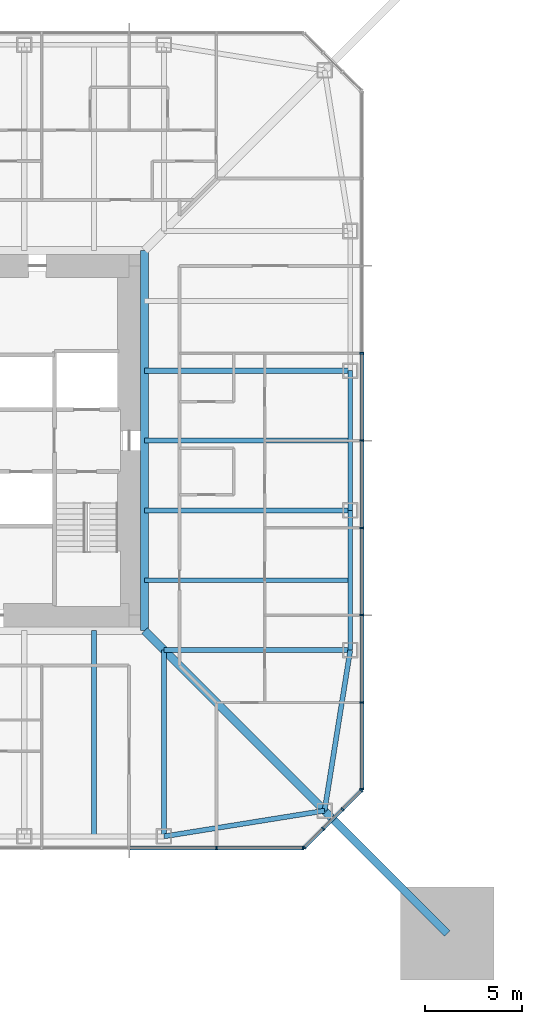
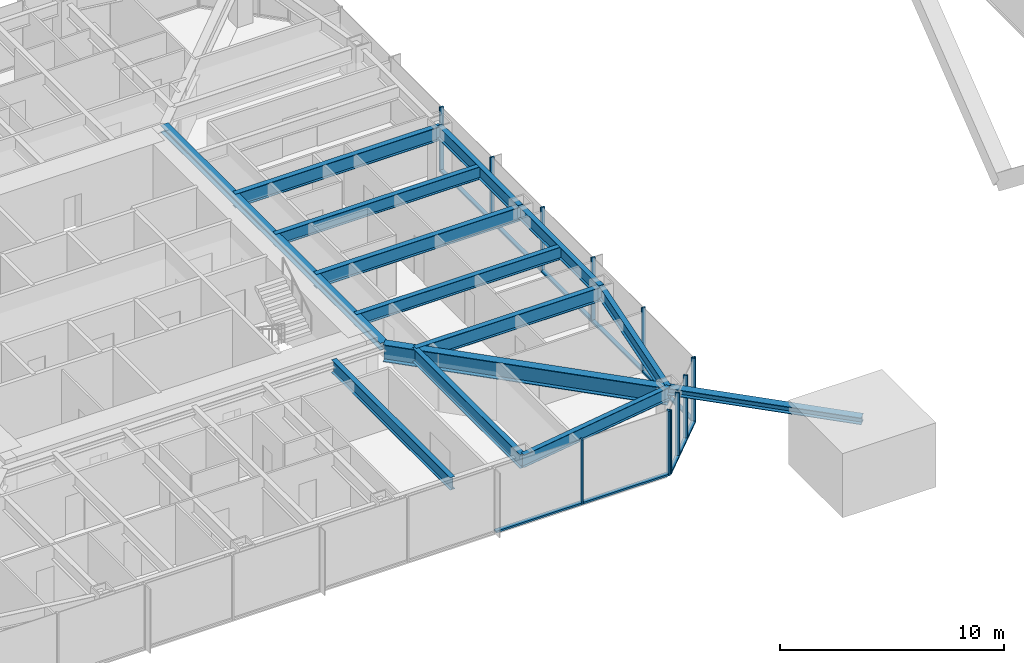
# One storey, part 3 of 23: 23 members, 13 beams, 3 elements without a shape of their own.
"""IFC4 building model written with IfcOpenShell, lengths in metres."""

from ifc_helpers import new_model, si_unit, direction, frame, origin, origin_2d, place, context, subcontext, project, spatial, rectangle, i_section, extrude, material, material_profile, profile_set, type_object, element, aggregate, save


model = new_model("IFC4")

# Units and contexts
model_context = context("Model", 3, precision=1e-05, world=origin(), true_north=direction((0.0, 1.0)))
body_context = subcontext(model_context, "Body", "Model", "MODEL_VIEW")
ifc_project = project(units=[si_unit("LENGTHUNIT", "METRE"), si_unit("AREAUNIT", "SQUARE_METRE"), si_unit("VOLUMEUNIT", "CUBIC_METRE"), si_unit("PLANEANGLEUNIT", "RADIAN"), si_unit("MASSUNIT", "GRAM", prefix="KILO")], contexts=[model_context])

# Site, building, storey
site_placement = place(None, origin())
site = spatial("IfcSite", under=ifc_project, at=site_placement, CompositionType="ELEMENT")
building_placement = place(site_placement, origin())
building = spatial("IfcBuilding", under=site, at=building_placement, Name="Iwan Alto Co-Living Towers", CompositionType="ELEMENT")
storey_placement = place(building_placement, frame((0.0, 0.0, 122.5)))
storey = spatial("IfcBuildingStorey", under=building, at=storey_placement, Name="L33", CompositionType="ELEMENT", Elevation=122.5)

# Curtain wall, members
ifc_material_1 = material(Name="Bronze aluminium unitised frame", Category="aluminium")
curtain_wall_type_1 = type_object("IfcCurtainWallType", Name="CURTAIN WALL CW-A", PredefinedType="NOTDEFINED", material=ifc_material_1)
curtain_wall_1_placement = place(storey_placement, origin())
curtain_wall_1 = element("IfcCurtainWall", 1, at=curtain_wall_1_placement, inside=storey, type_object=curtain_wall_type_1, Name="T1 curtain wall S L33", PredefinedType="NOTDEFINED")
ifc_material_2 = material(Name="Aluminium 6063-T6 bronze anodised", Category="aluminium")
ifc_material_profile_1 = material_profile(ifc_material_2, rectangle(XDim=0.199951171875, YDim=0.080078125, at=origin_2d()), Name="AL 80X200")
ifc_profile_set_1 = profile_set([ifc_material_profile_1], Name="Aluminium 6063-T6 bronze anodised")
member_type_1 = type_object("IfcMemberType", Name="CW-A MULLION 80X200", PredefinedType="MULLION", material=ifc_profile_set_1)
member_1_placement = place(storey_placement, frame((13.5, -21.0, 0.0), z_axis=(0.0, 0.0, 1.0), x_axis=(0.0, 1.0, 0.0)))
member_1 = element("IfcMember", 2, at=member_1_placement, type_object=member_type_1, Name="CW-A mullion 8", PredefinedType="MULLION", context=body_context, shape_type="SweptSolid", body=[
    extrude(rectangle(XDim=0.199951171875, YDim=0.080078125, at=origin_2d()), origin(), (0.0, 0.0, 1.0), 3.5),
])
member_2_placement = place(storey_placement, frame((17.9599609375, -21.0, 0.0), z_axis=(0.0, 0.0, 1.0), x_axis=(0.0, 1.0, 0.0)))
member_2 = element("IfcMember", 3, at=member_2_placement, type_object=member_type_1, Name="CW-A mullion 9", PredefinedType="MULLION", context=body_context, shape_type="SweptSolid", body=[
    extrude(rectangle(XDim=0.199951171875, YDim=0.080078125, at=origin_2d()), origin(), (0.0, 0.0, 1.0), 3.5),
])

curtain_wall_2_placement = place(storey_placement, origin())
curtain_wall_2 = element("IfcCurtainWall", 4, at=curtain_wall_2_placement, inside=storey, type_object=curtain_wall_type_1, Name="T1 curtain wall E L33", PredefinedType="NOTDEFINED")
member_3_placement = place(storey_placement, frame((21.0, -17.9599609375, 0.0), z_axis=(0.0, 0.0, 1.0), x_axis=(-1.0, 0.0, 0.0)))
member_3 = element("IfcMember", 5, at=member_3_placement, type_object=member_type_1, Name="CW-A mullion 1", PredefinedType="MULLION", context=body_context, shape_type="SweptSolid", body=[
    extrude(rectangle(XDim=0.199951171875, YDim=0.080078125, at=origin_2d()), origin(), (0.0, 0.0, 1.0), 3.5),
])
member_4_placement = place(storey_placement, frame((21.0, -13.5, 0.0), z_axis=(0.0, 0.0, 1.0), x_axis=(-1.0, 0.0, 0.0)))
member_4 = element("IfcMember", 6, at=member_4_placement, type_object=member_type_1, Name="CW-A mullion 2", PredefinedType="MULLION", context=body_context, shape_type="SweptSolid", body=[
    extrude(rectangle(XDim=0.199951171875, YDim=0.080078125, at=origin_2d()), origin(), (0.0, 0.0, 1.0), 3.5),
])
member_5_placement = place(storey_placement, frame((21.0, -9.0, 0.0), z_axis=(0.0, 0.0, 1.0), x_axis=(-1.0, 0.0, 0.0)))
member_5 = element("IfcMember", 7, at=member_5_placement, type_object=member_type_1, Name="CW-A mullion 3", PredefinedType="MULLION", context=body_context, shape_type="SweptSolid", body=[
    extrude(rectangle(XDim=0.199951171875, YDim=0.080078125, at=origin_2d()), origin(), (0.0, 0.0, 1.0), 3.5),
])
member_6_placement = place(storey_placement, frame((21.0, -4.5, 0.0), z_axis=(0.0, 0.0, 1.0), x_axis=(-1.0, 0.0, 0.0)))
member_6 = element("IfcMember", 8, at=member_6_placement, type_object=member_type_1, Name="CW-A mullion 4", PredefinedType="MULLION", context=body_context, shape_type="SweptSolid", body=[
    extrude(rectangle(XDim=0.199951171875, YDim=0.080078125, at=origin_2d()), origin(), (0.0, 0.0, 1.0), 3.5),
])
member_7_placement = place(storey_placement, frame((21.0, 0.0, 0.0), z_axis=(0.0, 0.0, 1.0), x_axis=(-1.0, 0.0, 0.0)))
member_7 = element("IfcMember", 9, at=member_7_placement, type_object=member_type_1, Name="CW-A mullion 5", PredefinedType="MULLION", context=body_context, shape_type="SweptSolid", body=[
    extrude(rectangle(XDim=0.199951171875, YDim=0.080078125, at=origin_2d()), origin(), (0.0, 0.0, 1.0), 3.5),
])
member_8_placement = place(storey_placement, frame((21.0, 4.5, 0.0), z_axis=(0.0, 0.0, 1.0), x_axis=(-1.0, 0.0, 0.0)))
member_8 = element("IfcMember", 10, at=member_8_placement, type_object=member_type_1, Name="CW-A mullion 6", PredefinedType="MULLION", context=body_context, shape_type="SweptSolid", body=[
    extrude(rectangle(XDim=0.199951171875, YDim=0.080078125, at=origin_2d()), origin(), (0.0, 0.0, 1.0), 3.5),
])

# Member
ifc_material_3 = material(Name="Aluminium 6063-T6 bronze anodised", Category="aluminium")
ifc_material_profile_2 = material_profile(ifc_material_3, rectangle(XDim=0.199951171875, YDim=0.10009765625, at=origin_2d()), Name="AL 200X100")
ifc_profile_set_2 = profile_set([ifc_material_profile_2], Name="Aluminium 6063-T6 bronze anodised")
member_type_2 = type_object("IfcMemberType", Name="CW-A TRANSOM 200X100", PredefinedType="USERDEFINED", material=ifc_profile_set_2)
member_9_placement = place(storey_placement, frame((9.0400390625, -21.0, 0.050048828125), z_axis=(1.0, 0.0, 0.0), x_axis=(0.0, 1.0, 0.0)))
member_9 = element("IfcMember", 11, at=member_9_placement, type_object=member_type_2, Name="CW-A transom 7.1", ObjectType="TRANSOM", PredefinedType="USERDEFINED", context=body_context, shape_type="SweptSolid", body=[
    extrude(rectangle(XDim=0.199951171875, YDim=0.10009765625, at=origin_2d()), origin(), (0.0, 0.0, 1.0), 4.419921875),
])

member_10_placement = place(storey_placement, frame((13.5400390625, -21.0, 0.050048828125), z_axis=(1.0, 0.0, 0.0), x_axis=(0.0, 1.0, 0.0)))
member_10 = element("IfcMember", 12, at=member_10_placement, type_object=member_type_2, Name="CW-A transom 8.1", ObjectType="TRANSOM", PredefinedType="USERDEFINED", context=body_context, shape_type="SweptSolid", body=[
    extrude(rectangle(XDim=0.199951171875, YDim=0.10009765625, at=origin_2d()), origin(), (0.0, 0.0, 1.0), 4.3798828125),
])

aggregate(curtain_wall_1, [member_1, member_2, member_9, member_10])

member_11_placement = place(storey_placement, frame((21.0, -17.919921875, 0.050048828125), z_axis=(0.0, 1.0, 0.0), x_axis=(-1.0, 0.0, 0.0)))
member_11 = element("IfcMember", 13, at=member_11_placement, type_object=member_type_2, Name="CW-A transom 1.1", ObjectType="TRANSOM", PredefinedType="USERDEFINED", context=body_context, shape_type="SweptSolid", body=[
    extrude(rectangle(XDim=0.199951171875, YDim=0.10009765625, at=origin_2d()), origin(), (0.0, 0.0, 1.0), 4.3798828125),
])

member_12_placement = place(storey_placement, frame((21.0, -13.4599609375, 0.050048828125), z_axis=(0.0, 1.0, 0.0), x_axis=(-1.0, 0.0, 0.0)))
member_12 = element("IfcMember", 14, at=member_12_placement, type_object=member_type_2, Name="CW-A transom 2.1", ObjectType="TRANSOM", PredefinedType="USERDEFINED", context=body_context, shape_type="SweptSolid", body=[
    extrude(rectangle(XDim=0.199951171875, YDim=0.10009765625, at=origin_2d()), origin(), (0.0, 0.0, 1.0), 4.419921875),
])

member_13_placement = place(storey_placement, frame((21.0, -8.9599609375, 0.050048828125), z_axis=(0.0, 1.0, 0.0), x_axis=(-1.0, 0.0, 0.0)))
member_13 = element("IfcMember", 15, at=member_13_placement, type_object=member_type_2, Name="CW-A transom 3.1", ObjectType="TRANSOM", PredefinedType="USERDEFINED", context=body_context, shape_type="SweptSolid", body=[
    extrude(rectangle(XDim=0.199951171875, YDim=0.10009765625, at=origin_2d()), origin(), (0.0, 0.0, 1.0), 4.419921875),
])

member_14_placement = place(storey_placement, frame((21.0, -4.4599609375, 0.050048828125), z_axis=(0.0, 1.0, 0.0), x_axis=(-1.0, 0.0, 0.0)))
member_14 = element("IfcMember", 16, at=member_14_placement, type_object=member_type_2, Name="CW-A transom 4.1", ObjectType="TRANSOM", PredefinedType="USERDEFINED", context=body_context, shape_type="SweptSolid", body=[
    extrude(rectangle(XDim=0.199951171875, YDim=0.10009765625, at=origin_2d()), origin(), (0.0, 0.0, 1.0), 4.419921875),
])

member_15_placement = place(storey_placement, frame((21.0, 0.0400390625, 0.050048828125), z_axis=(0.0, 1.0, 0.0), x_axis=(-1.0, 0.0, 0.0)))
member_15 = element("IfcMember", 17, at=member_15_placement, type_object=member_type_2, Name="CW-A transom 5.1", ObjectType="TRANSOM", PredefinedType="USERDEFINED", context=body_context, shape_type="SweptSolid", body=[
    extrude(rectangle(XDim=0.199951171875, YDim=0.10009765625, at=origin_2d()), origin(), (0.0, 0.0, 1.0), 4.419921875),
])

aggregate(curtain_wall_2, [member_3, member_4, member_5, member_6, member_7, member_8, member_11, member_12, member_13, member_14, member_15])

# Curtain wall, members
ifc_material_4 = material(Name="Bronze aluminium unitised frame", Category="aluminium")
curtain_wall_type_2 = type_object("IfcCurtainWallType", Name="CURTAIN WALL CW-B", PredefinedType="NOTDEFINED", material=ifc_material_4)
curtain_wall_3_placement = place(storey_placement, origin())
curtain_wall_3 = element("IfcCurtainWall", 18, at=curtain_wall_3_placement, inside=storey, type_object=curtain_wall_type_2, Name="T1 chamfer curtain wall SE L33", PredefinedType="NOTDEFINED")
ifc_material_5 = material(Name="Aluminium 6063-T6 bronze anodised", Category="aluminium")
ifc_material_profile_3 = material_profile(ifc_material_5, rectangle(XDim=0.199951171875, YDim=0.080078125, at=origin_2d()), Name="AL 80X200")
ifc_profile_set_3 = profile_set([ifc_material_profile_3], Name="Aluminium 6063-T6 bronze anodised")
member_type_3 = type_object("IfcMemberType", Name="CW-B MULLION 80X200", PredefinedType="MULLION", material=ifc_profile_set_3)
member_16_placement = place(storey_placement, frame((18.0283203125, -20.9716796875, 0.0), z_axis=(0.0, 0.0, 1.0), x_axis=(-0.707106781187, 0.707106781187, 0.0)))
member_16 = element("IfcMember", 19, at=member_16_placement, type_object=member_type_3, Name="CW-B mullion 1", PredefinedType="MULLION", context=body_context, shape_type="SweptSolid", body=[
    extrude(rectangle(XDim=0.199951171875, YDim=0.080078125, at=origin_2d()), origin(), (0.0, 0.0, 1.0), 3.5),
])
member_17_placement = place(storey_placement, frame((19.0, -20.0, 0.0), z_axis=(0.0, 0.0, 1.0), x_axis=(-0.707106781187, 0.707106781187, 0.0)))
member_17 = element("IfcMember", 20, at=member_17_placement, type_object=member_type_3, Name="CW-B mullion 2", PredefinedType="MULLION", context=body_context, shape_type="SweptSolid", body=[
    extrude(rectangle(XDim=0.199951171875, YDim=0.080078125, at=origin_2d()), origin(), (0.0, 0.0, 1.0), 3.5),
])
member_18_placement = place(storey_placement, frame((20.0, -19.0, 0.0), z_axis=(0.0, 0.0, 1.0), x_axis=(-0.707106781187, 0.707106781187, 0.0)))
member_18 = element("IfcMember", 21, at=member_18_placement, type_object=member_type_3, Name="CW-B mullion 3", PredefinedType="MULLION", context=body_context, shape_type="SweptSolid", body=[
    extrude(rectangle(XDim=0.199951171875, YDim=0.080078125, at=origin_2d()), origin(), (0.0, 0.0, 1.0), 3.5),
])
member_19_placement = place(storey_placement, frame((20.9716796875, -18.0283203125, 0.0), z_axis=(0.0, 0.0, 1.0), x_axis=(-0.707106781187, 0.707106781187, 0.0)))
member_19 = element("IfcMember", 22, at=member_19_placement, type_object=member_type_3, Name="CW-B mullion 4", PredefinedType="MULLION", context=body_context, shape_type="SweptSolid", body=[
    extrude(rectangle(XDim=0.199951171875, YDim=0.080078125, at=origin_2d()), origin(), (0.0, 0.0, 1.0), 3.5),
])
ifc_material_6 = material(Name="Aluminium 6063-T6 bronze anodised", Category="aluminium")
ifc_material_profile_4 = material_profile(ifc_material_6, rectangle(XDim=0.199951171875, YDim=0.10009765625, at=origin_2d()), Name="AL 200X100")
ifc_profile_set_4 = profile_set([ifc_material_profile_4], Name="Aluminium 6063-T6 bronze anodised")
member_type_4 = type_object("IfcMemberType", Name="CW-B TRANSOM 200X100", PredefinedType="USERDEFINED", material=ifc_profile_set_4)
member_20_placement = place(storey_placement, frame((18.056640625, -20.943359375, 0.050048828125), z_axis=(0.707106781187, 0.707106781187, 0.0), x_axis=(-0.707106781187, 0.707106781187, 0.0)))
member_20 = element("IfcMember", 23, at=member_20_placement, type_object=member_type_4, Name="CW-B transom 1.1", ObjectType="TRANSOM", PredefinedType="USERDEFINED", context=body_context, shape_type="SweptSolid", body=[
    extrude(rectangle(XDim=0.199951171875, YDim=0.10009765625, at=origin_2d()), origin(), (0.0, 0.0, 1.0), 1.2939453125),
])
member_21_placement = place(storey_placement, frame((19.0283203125, -19.9716796875, 0.050048828125), z_axis=(0.707106781187, 0.707106781187, 0.0), x_axis=(-0.707106781187, 0.707106781187, 0.0)))
member_21 = element("IfcMember", 24, at=member_21_placement, type_object=member_type_4, Name="CW-B transom 2.1", ObjectType="TRANSOM", PredefinedType="USERDEFINED", context=body_context, shape_type="SweptSolid", body=[
    extrude(rectangle(XDim=0.199951171875, YDim=0.10009765625, at=origin_2d()), origin(), (0.0, 0.0, 1.0), 1.334228515625),
])
member_22_placement = place(storey_placement, frame((20.0283203125, -18.9716796875, 0.050048828125), z_axis=(0.707106781187, 0.707106781187, 0.0), x_axis=(-0.707106781187, 0.707106781187, 0.0)))
member_22 = element("IfcMember", 25, at=member_22_placement, type_object=member_type_4, Name="CW-B transom 3.1", ObjectType="TRANSOM", PredefinedType="USERDEFINED", context=body_context, shape_type="SweptSolid", body=[
    extrude(rectangle(XDim=0.199951171875, YDim=0.10009765625, at=origin_2d()), origin(), (0.0, 0.0, 1.0), 1.2939453125),
])
aggregate(curtain_wall_3, [member_16, member_17, member_18, member_19, member_20, member_21, member_22])

# Beams
ifc_material_7 = material(Name="Steel ASTM A992 Gr 50", Category="steel")
ifc_material_profile_5 = material_profile(ifc_material_7, i_section(OverallWidth=0.398681640625, OverallDepth=0.385986328125, WebThickness=0.02099609375, FlangeThickness=0.033203125, at=origin_2d()), Name="W14X176")
ifc_profile_set_5 = profile_set([ifc_material_profile_5], Name="Steel ASTM A992 Gr 50")
beam_type_1 = type_object("IfcBeamType", Name="T1 CORE LEDGER BEAM W14X176", PredefinedType="BEAM", material=ifc_profile_set_5)
beam_1_placement = place(storey_placement, frame((9.79931640625, -9.79931640625, 3.076904296875), z_axis=(0.0, 1.0, 0.0), x_axis=(-1.0, 0.0, 0.0)))
element("IfcBeam", 26, at=beam_1_placement, inside=storey, type_object=beam_type_1, Name="T1 core ledger beam E L34", PredefinedType="BEAM", context=body_context, shape_type="SweptSolid", body=[
    extrude(i_section(OverallWidth=0.398681640625, OverallDepth=0.385986328125, WebThickness=0.02099609375, FlangeThickness=0.033203125, at=origin_2d()), origin(), (0.0, 0.0, 1.0), 19.5986328125),
])
ifc_material_8 = material(Name="Steel ASTM A992 Gr 50", Category="steel")
ifc_material_profile_6 = material_profile(ifc_material_8, i_section(OverallWidth=0.419189453125, OverallDepth=0.927001953125, WebThickness=0.019287109375, FlangeThickness=0.031982421875, at=origin_2d()), Name="W36X231")
ifc_profile_set_6 = profile_set([ifc_material_profile_6], Name="Steel ASTM A992 Gr 50")
beam_type_2 = type_object("IfcBeamType", Name="T1 CORNER GIRDER W36X231", PredefinedType="BEAM", material=ifc_profile_set_6)
beam_2_placement = place(storey_placement, frame((19.07568359375, -19.07568359375, 2.806396484375), z_axis=(-0.707106781187, 0.707106781187, 0.0), x_axis=(-0.707106781187, -0.707106781187, 0.0)))
element("IfcBeam", 27, at=beam_2_placement, inside=storey, type_object=beam_type_2, Name="T1 corner girder CSE L34", PredefinedType="BEAM", context=body_context, shape_type="SweptSolid", body=[
    extrude(i_section(OverallWidth=0.419189453125, OverallDepth=0.927001953125, WebThickness=0.019287109375, FlangeThickness=0.031982421875, at=origin_2d()), origin(), (0.0, 0.0, 1.0), 13.11865234375),
])
ifc_material_9 = material(Name="Steel ASTM A992 Gr 50", Category="steel")
ifc_material_profile_7 = material_profile(ifc_material_9, i_section(OverallWidth=0.25390625, OverallDepth=0.683349609375, WebThickness=0.012451171875, FlangeThickness=0.018798828125, at=origin_2d()), Name="W27X94")
ifc_profile_set_7 = profile_set([ifc_material_profile_7], Name="Steel ASTM A992 Gr 50")
beam_type_3 = type_object("IfcBeamType", Name="T1 EDGE BEAM W27X94", PredefinedType="BEAM", material=ifc_profile_set_7)
for number, where, z_axis, x_axis, name in (
    (28, (10.800048828125, -20.39990234375, 2.928466796875), (0.987438450439, 0.158004134737, 0.0), (-0.158004134737, 0.987438450439, 0.0), "T1 edge beam S4 L34"),
    (29, (19.07568359375, -19.07568359375, 2.928466796875), (0.158004134737, 0.987438450439, 0.0), (-0.987438450439, 0.158004134737, 0.0), "T1 edge beam CSE L34"),
):
    element("IfcBeam", number, at=place(storey_placement, frame(where, z_axis=z_axis, x_axis=x_axis)), inside=storey, type_object=beam_type_3, Name=name, PredefinedType="BEAM", context=body_context, shape_type="SweptSolid", body=[
        extrude(i_section(OverallWidth=0.25390625, OverallDepth=0.683349609375, WebThickness=0.012451171875, FlangeThickness=0.018798828125, at=origin_2d()), origin(), (0.0, 0.0, 1.0), 8.380859375),
    ])
beam_3_placement = place(storey_placement, frame((20.39990234375, -10.800048828125, 2.928466796875), z_axis=(0.0, 1.0, 0.0), x_axis=(-1.0, 0.0, 0.0)))
element("IfcBeam", 30, at=beam_3_placement, inside=storey, type_object=beam_type_3, Name="T1 edge beam E1 L34", PredefinedType="BEAM", context=body_context, shape_type="SweptSolid", body=[
    extrude(i_section(OverallWidth=0.25390625, OverallDepth=0.683349609375, WebThickness=0.012451171875, FlangeThickness=0.018798828125, at=origin_2d()), origin(), (0.0, 0.0, 1.0), 7.199951171875),
])
beam_4_placement = place(storey_placement, frame((20.39990234375, -3.60009765625, 2.928466796875), z_axis=(0.0, 1.0, 0.0), x_axis=(-1.0, 0.0, 0.0)))
element("IfcBeam", 31, at=beam_4_placement, inside=storey, type_object=beam_type_3, Name="T1 edge beam E2 L34", PredefinedType="BEAM", context=body_context, shape_type="SweptSolid", body=[
    extrude(i_section(OverallWidth=0.25390625, OverallDepth=0.683349609375, WebThickness=0.012451171875, FlangeThickness=0.018798828125, at=origin_2d()), origin(), (0.0, 0.0, 1.0), 7.2001953125),
])

# Member
ifc_material_10 = material(Name="Steel ASTM A992 Gr 50", Category="steel")
ifc_material_profile_8 = material_profile(ifc_material_10, i_section(OverallWidth=0.393798828125, OverallDepth=0.3759765625, WebThickness=0.017333984375, FlangeThickness=0.027587890625, at=origin_2d()), Name="W14X145")
ifc_profile_set_8 = profile_set([ifc_material_profile_8], Name="Steel ASTM A992 Gr 50")
member_type_5 = type_object("IfcMemberType", Name="T1 MEGA COLUMN FLOOR TIE W14X145", PredefinedType="STRUT", material=ifc_profile_set_8)
member_23_placement = place(storey_placement, frame((25.39990234375, -25.39990234375, 3.08203125), z_axis=(-0.707106781187, 0.707106781187, 0.0), x_axis=(-0.707106781187, -0.707106781187, 0.0)))
element("IfcMember", 32, at=member_23_placement, inside=storey, type_object=member_type_5, Name="T1 mega column floor tie SE L34", PredefinedType="STRUT", context=body_context, shape_type="SweptSolid", body=[
    extrude(i_section(OverallWidth=0.393798828125, OverallDepth=0.3759765625, WebThickness=0.017333984375, FlangeThickness=0.027587890625, at=origin_2d()), origin(), (0.0, 0.0, 1.0), 8.94384765625),
])

# Beams
ifc_material_11 = material(Name="Steel ASTM A992 Gr 50", Category="steel")
ifc_material_profile_9 = material_profile(ifc_material_11, i_section(OverallWidth=0.2666015625, OverallDepth=0.761962890625, WebThickness=0.014404296875, FlangeThickness=0.021484375, at=origin_2d()), Name="W30X116")
ifc_profile_set_9 = profile_set([ifc_material_profile_9], Name="Steel ASTM A992 Gr 50")
beam_type_4 = type_object("IfcBeamType", Name="T1 RADIAL BEAM W30X116", PredefinedType="BEAM", material=ifc_profile_set_9)
for number, where, z_axis, x_axis, name in (
    (33, (10.800048828125, -20.39990234375, 2.888916015625), (0.0, 1.0, 0.0), (-1.0, 0.0, 0.0), "T1 radial beam S4 L34"),
    (34, (20.39990234375, -10.800048828125, 2.888916015625), (-1.0, 0.0, 0.0), (0.0, -1.0, 0.0), "T1 radial beam E1 L34"),
):
    element("IfcBeam", number, at=place(storey_placement, frame(where, z_axis=z_axis, x_axis=x_axis)), inside=storey, type_object=beam_type_4, Name=name, PredefinedType="BEAM", context=body_context, shape_type="SweptSolid", body=[
        extrude(i_section(OverallWidth=0.2666015625, OverallDepth=0.761962890625, WebThickness=0.014404296875, FlangeThickness=0.021484375, at=origin_2d()), origin(), (0.0, 0.0, 1.0), 9.599853515625),
    ])
for number, where, z_axis, x_axis, name in (
    (35, (20.39990234375, -3.60009765625, 2.888916015625), (-1.0, 0.0, 0.0), (0.0, -1.0, 0.0), "T1 radial beam E2 L34"),
    (36, (20.39990234375, 3.60009765625, 2.888916015625), (-1.0, 0.0, 0.0), (0.0, -1.0, 0.0), "T1 radial beam E3 L34"),
):
    element("IfcBeam", number, at=place(storey_placement, frame(where, z_axis=z_axis, x_axis=x_axis)), inside=storey, type_object=beam_type_4, Name=name, PredefinedType="BEAM", context=body_context, shape_type="SweptSolid", body=[
        extrude(i_section(OverallWidth=0.2666015625, OverallDepth=0.761962890625, WebThickness=0.014404296875, FlangeThickness=0.021484375, at=origin_2d()), origin(), (0.0, 0.0, 1.0), 10.6005859375),
    ])
ifc_material_12 = material(Name="Steel ASTM A992 Gr 50", Category="steel")
ifc_material_profile_10 = material_profile(ifc_material_12, i_section(OverallWidth=0.25390625, OverallDepth=0.683349609375, WebThickness=0.012451171875, FlangeThickness=0.018798828125, at=origin_2d()), Name="W27X94")
ifc_profile_set_10 = profile_set([ifc_material_profile_10], Name="Steel ASTM A992 Gr 50")
beam_type_5 = type_object("IfcBeamType", Name="T1 SECONDARY BEAM W27X94", PredefinedType="JOIST", material=ifc_profile_set_10)
for number, where, z_axis, x_axis, name in (
    (37, (7.199951171875, -20.39990234375, 2.928466796875), (0.0, 1.0, 0.0), (-1.0, 0.0, 0.0), "T1 secondary beam S3 L34"),
    (38, (20.39990234375, -7.199951171875, 2.928466796875), (-1.0, 0.0, 0.0), (0.0, -1.0, 0.0), "T1 secondary beam E1 L34"),
    (39, (20.39990234375, 0.0, 2.928466796875), (-1.0, 0.0, 0.0), (0.0, -1.0, 0.0), "T1 secondary beam E2 L34"),
):
    element("IfcBeam", number, at=place(storey_placement, frame(where, z_axis=z_axis, x_axis=x_axis)), inside=storey, type_object=beam_type_5, Name=name, PredefinedType="JOIST", context=body_context, shape_type="SweptSolid", body=[
        extrude(i_section(OverallWidth=0.25390625, OverallDepth=0.683349609375, WebThickness=0.012451171875, FlangeThickness=0.018798828125, at=origin_2d()), origin(), (0.0, 0.0, 1.0), 10.6005859375),
    ])

save(model, "model.ifc")
